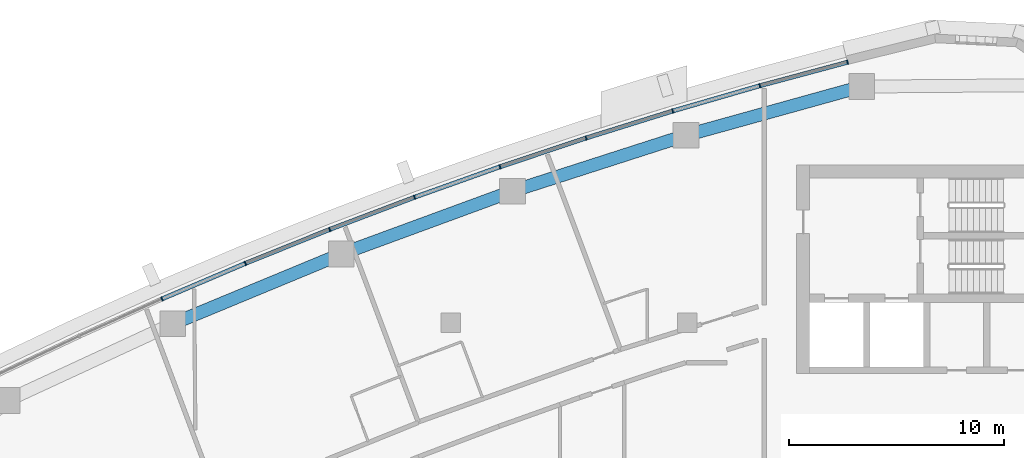
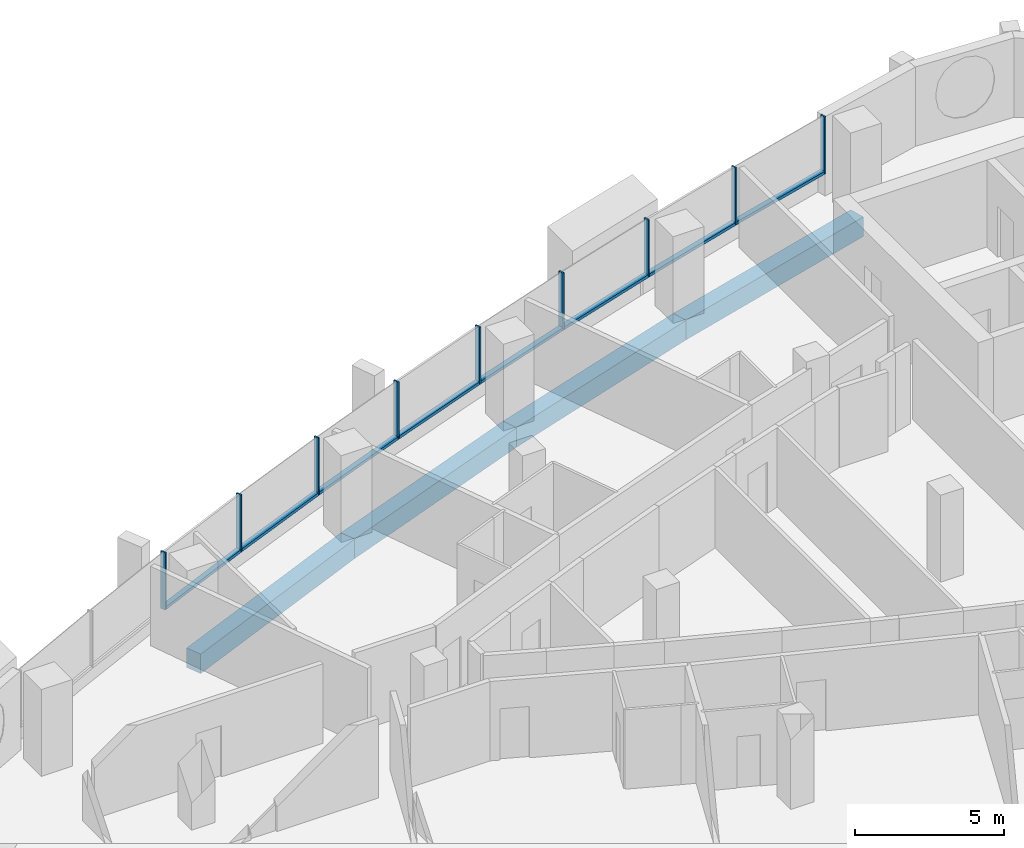
# One storey, part 6 of 16: 17 members, 4 beams, 4 elements without a shape of their own.
"""IFC4 building model written with IfcOpenShell, lengths in metres."""

from ifc_helpers import new_model, si_unit, direction, frame, origin, origin_2d, place, context, subcontext, project, spatial, rectangle, extrude, material, layer, layer_set, material_profile, profile_set, type_object, element, aggregate, save


model = new_model("IFC4")

# Units and contexts
model_context = context("Model", 3, precision=1e-05, world=origin(), true_north=direction((0.0, 1.0)))
body_context = subcontext(model_context, "Body", "Model", "MODEL_VIEW")
ifc_project = project(units=[si_unit("LENGTHUNIT", "METRE"), si_unit("AREAUNIT", "SQUARE_METRE"), si_unit("VOLUMEUNIT", "CUBIC_METRE"), si_unit("PLANEANGLEUNIT", "RADIAN"), si_unit("MASSUNIT", "GRAM", prefix="KILO")], contexts=[model_context])

# Site, building, storey
site_placement = place(None, origin())
site = spatial("IfcSite", under=ifc_project, at=site_placement, CompositionType="ELEMENT")
building_placement = place(site_placement, origin())
building = spatial("IfcBuilding", under=site, at=building_placement, Name="Ostrand Prow Hotel Tower", CompositionType="ELEMENT")
storey_placement = place(building_placement, frame((0.0, 0.0, 227.89990234375)))
storey = spatial("IfcBuildingStorey", under=building, at=storey_placement, Name="L57", CompositionType="ELEMENT", Elevation=227.89990234375)

# Beams
ifc_material_1 = material(Name="Concrete C50/60", Category="concrete")
ifc_material_profile_1 = material_profile(ifc_material_1, rectangle(XDim=0.60009765625, YDim=0.800048828125, at=origin_2d()), Name="RC 600x800")
ifc_profile_set_1 = profile_set([ifc_material_profile_1], Name="Concrete C50/60")
beam_type = type_object("IfcBeamType", Name="Edge beam 600x800 C50/60", PredefinedType="SPANDREL", material=ifc_profile_set_1)
for number, where, z_axis, x_axis, name in (
    (1, (53.12548828125, 19.99951171875, -0.699951171875), (-0.963625802813, -0.267255144297, 0.0), (0.267255144297, -0.963625802813, 0.0), "Edge beam N1-N2"),
    (2, (44.94677734375, 17.731201171875, -0.699951171875), (-0.95193933362, -0.306286638798, 0.0), (0.306286638798, -0.95193933362, 0.0), "Edge beam N2-N3"),
    (3, (36.8671875, 15.131591796875, -0.699951171875), (-0.938684959139, -0.344776083113, 0.0), (0.344776083113, -0.938684959139, 0.0), "Edge beam N3-N4"),
    (4, (28.900146484375, 12.205322265625, -0.699951171875), (-0.923890977326, -0.38265580097, 0.0), (0.38265580097, -0.923890977326, 0.0), "Edge beam N4-N5"),
):
    element("IfcBeam", number, at=place(storey_placement, frame(where, z_axis=z_axis, x_axis=x_axis)), inside=storey, type_object=beam_type, Name=name, PredefinedType="SPANDREL", context=body_context, shape_type="SweptSolid", body=[
        extrude(rectangle(XDim=0.60009765625, YDim=0.800048828125, at=origin_2d()), origin(), (0.0, 0.0, 1.0), 8.487548828125),
    ])

# Curtain wall, members
ifc_material_2 = material(Name="Insulated glass in bronze anodised frame", Category="glass")
ifc_layer = layer(ifc_material_2, 0.199951171875)
ifc_layer_set = layer_set([ifc_layer], Name="Insulated glass in bronze anodised frame")
curtain_wall_type = type_object("IfcCurtainWallType", Name="Strip curtain wall, fritted glass over bronze spandrel", PredefinedType="NOTDEFINED", material=ifc_layer_set)
curtain_wall_1_placement = place(storey_placement, origin())
curtain_wall_1 = element("IfcCurtainWall", 5, at=curtain_wall_1_placement, inside=storey, type_object=curtain_wall_type, Name="CW1 run CWN1", PredefinedType="NOTDEFINED")
ifc_material_3 = material(Name="Bronze anodised aluminium", Category="aluminium")
ifc_material_profile_2 = material_profile(ifc_material_3, rectangle(XDim=0.199951171875, YDim=0.06005859375, at=origin_2d()), Name="Mullion 60x200 bronze anodised aluminium")
ifc_profile_set_2 = profile_set([ifc_material_profile_2], Name="Bronze anodised aluminium")
member_type_1 = type_object("IfcMemberType", Name="Mullion 60x200 bronze anodised aluminium", PredefinedType="MULLION", material=ifc_profile_set_2)
member_1_placement = place(storey_placement, frame((52.465576171875, 21.1328125, 0.900146484375), z_axis=(0.0, 0.0, 1.0), x_axis=(0.258994370132, -0.965878831034, 0.0)))
member_1 = element("IfcMember", 6, at=member_1_placement, type_object=member_type_1, Name="CW1 mullion 1", PredefinedType="MULLION", context=body_context, shape_type="SweptSolid", body=[
    extrude(rectangle(XDim=0.199951171875, YDim=0.06005859375, at=origin_2d()), origin(), (0.0, 0.0, 1.0), 2.349853515625),
])
member_2_placement = place(storey_placement, frame((48.385986328125, 20.038818359375, 0.900146484375), z_axis=(0.0, 0.0, 1.0), x_axis=(0.27839270969, -0.960467333745, 0.0)))
member_2 = element("IfcMember", 7, at=member_2_placement, type_object=member_type_1, Name="CW1 mullion 2", PredefinedType="MULLION", context=body_context, shape_type="SweptSolid", body=[
    extrude(rectangle(XDim=0.199951171875, YDim=0.06005859375, at=origin_2d()), origin(), (0.0, 0.0, 1.0), 2.349853515625),
])
member_3_placement = place(storey_placement, frame((44.3291015625, 18.863037109375, 0.900146484375), z_axis=(0.0, 0.0, 1.0), x_axis=(0.27839270969, -0.960467333745, 0.0)))
member_3 = element("IfcMember", 8, at=member_3_placement, type_object=member_type_1, Name="CW1 mullion 3", PredefinedType="MULLION", context=body_context, shape_type="SweptSolid", body=[
    extrude(rectangle(XDim=0.199951171875, YDim=0.06005859375, at=origin_2d()), origin(), (0.0, 0.0, 1.0), 2.349853515625),
])

curtain_wall_2_placement = place(storey_placement, origin())
curtain_wall_2 = element("IfcCurtainWall", 9, at=curtain_wall_2_placement, inside=storey, type_object=curtain_wall_type, Name="CW1 run CWN2", PredefinedType="NOTDEFINED")
member_4_placement = place(storey_placement, frame((40.297119140625, 17.605712890625, 0.900146484375), z_axis=(0.0, 0.0, 1.0), x_axis=(0.31684118017, -0.948478606268, 0.0)))
member_4 = element("IfcMember", 10, at=member_4_placement, type_object=member_type_1, Name="CW1 mullion 2", PredefinedType="MULLION", context=body_context, shape_type="SweptSolid", body=[
    extrude(rectangle(XDim=0.199951171875, YDim=0.06005859375, at=origin_2d()), origin(), (0.0, 0.0, 1.0), 2.349853515625),
])
member_5_placement = place(storey_placement, frame((36.291015625, 16.267578125, 0.900146484375), z_axis=(0.0, 0.0, 1.0), x_axis=(0.31684118017, -0.948478606268, 0.0)))
member_5 = element("IfcMember", 11, at=member_5_placement, type_object=member_type_1, Name="CW1 mullion 3", PredefinedType="MULLION", context=body_context, shape_type="SweptSolid", body=[
    extrude(rectangle(XDim=0.199951171875, YDim=0.06005859375, at=origin_2d()), origin(), (0.0, 0.0, 1.0), 2.349853515625),
])

curtain_wall_3_placement = place(storey_placement, origin())
curtain_wall_3 = element("IfcCurtainWall", 12, at=curtain_wall_3_placement, inside=storey, type_object=curtain_wall_type, Name="CW1 run CWN3", PredefinedType="NOTDEFINED")
member_6_placement = place(storey_placement, frame((32.3125, 14.848876953125, 0.900146484375), z_axis=(0.0, 0.0, 1.0), x_axis=(0.354777361469, -0.934950813567, 0.0)))
member_6 = element("IfcMember", 13, at=member_6_placement, type_object=member_type_1, Name="CW1 mullion 2", PredefinedType="MULLION", context=body_context, shape_type="SweptSolid", body=[
    extrude(rectangle(XDim=0.199951171875, YDim=0.06005859375, at=origin_2d()), origin(), (0.0, 0.0, 1.0), 2.349853515625),
])
member_7_placement = place(storey_placement, frame((28.363525390625, 13.350341796875, 0.900146484375), z_axis=(0.0, 0.0, 1.0), x_axis=(0.354777361469, -0.934950813567, 0.0)))
member_7 = element("IfcMember", 14, at=member_7_placement, type_object=member_type_1, Name="CW1 mullion 3", PredefinedType="MULLION", context=body_context, shape_type="SweptSolid", body=[
    extrude(rectangle(XDim=0.199951171875, YDim=0.06005859375, at=origin_2d()), origin(), (0.0, 0.0, 1.0), 2.349853515625),
])

curtain_wall_4_placement = place(storey_placement, origin())
curtain_wall_4 = element("IfcCurtainWall", 15, at=curtain_wall_4_placement, inside=storey, type_object=curtain_wall_type, Name="CW1 run CWN4", PredefinedType="NOTDEFINED")
member_8_placement = place(storey_placement, frame((24.445556640625, 11.772705078125, 0.900146484375), z_axis=(0.0, 0.0, 1.0), x_axis=(0.392136433347, -0.919907070112, 0.0)))
member_8 = element("IfcMember", 16, at=member_8_placement, type_object=member_type_1, Name="CW1 mullion 2", PredefinedType="MULLION", context=body_context, shape_type="SweptSolid", body=[
    extrude(rectangle(XDim=0.199951171875, YDim=0.06005859375, at=origin_2d()), origin(), (0.0, 0.0, 1.0), 2.349853515625),
])
member_9_placement = place(storey_placement, frame((20.56005859375, 10.116455078125, 0.900146484375), z_axis=(0.0, 0.0, 1.0), x_axis=(0.392136433347, -0.919907070112, 0.0)))
member_9 = element("IfcMember", 17, at=member_9_placement, type_object=member_type_1, Name="CW1 mullion 3", PredefinedType="MULLION", context=body_context, shape_type="SweptSolid", body=[
    extrude(rectangle(XDim=0.199951171875, YDim=0.06005859375, at=origin_2d()), origin(), (0.0, 0.0, 1.0), 2.349853515625),
])

# Member
ifc_material_4 = material(Name="Bronze anodised aluminium", Category="aluminium")
ifc_material_profile_3 = material_profile(ifc_material_4, rectangle(XDim=0.199951171875, YDim=0.1201171875, at=origin_2d()), Name="Transom 120x200 bronze anodised aluminium")
ifc_profile_set_3 = profile_set([ifc_material_profile_3], Name="Bronze anodised aluminium")
member_type_2 = type_object("IfcMemberType", Name="Transom 120x200 bronze anodised aluminium", PredefinedType="USERDEFINED", material=ifc_profile_set_3)
member_10_placement = place(storey_placement, frame((52.4365234375, 21.125, 0.960205078125), z_axis=(-0.96587683346, -0.259001819657, 0.0), x_axis=(0.259001819657, -0.96587683346, 0.0)))
member_10 = element("IfcMember", 18, at=member_10_placement, type_object=member_type_2, Name="CW1 transom 1.1", ObjectType="TRANSOM", PredefinedType="USERDEFINED", context=body_context, shape_type="SweptSolid", body=[
    extrude(rectangle(XDim=0.199951171875, YDim=0.1201171875, at=origin_2d()), origin(), (0.0, 0.0, 1.0), 4.16357421875),
])

member_11_placement = place(storey_placement, frame((48.357177734375, 20.030517578125, 0.960205078125), z_axis=(-0.960468183791, -0.278389776976, 0.0), x_axis=(0.278389776976, -0.960468183791, 0.0)))
member_11 = element("IfcMember", 19, at=member_11_placement, type_object=member_type_2, Name="CW1 transom 2.1", ObjectType="TRANSOM", PredefinedType="USERDEFINED", context=body_context, shape_type="SweptSolid", body=[
    extrude(rectangle(XDim=0.199951171875, YDim=0.1201171875, at=origin_2d()), origin(), (0.0, 0.0, 1.0), 4.163818359375),
])

aggregate(curtain_wall_1, [member_1, member_2, member_3, member_10, member_11])

member_12_placement = place(storey_placement, frame((44.300537109375, 18.85400390625, 0.960205078125), z_axis=(-0.954676966691, -0.297643896746, 0.0), x_axis=(0.297643896746, -0.954676966691, 0.0)))
member_12 = element("IfcMember", 20, at=member_12_placement, type_object=member_type_2, Name="CW1 transom 1.1", ObjectType="TRANSOM", PredefinedType="USERDEFINED", context=body_context, shape_type="SweptSolid", body=[
    extrude(rectangle(XDim=0.199951171875, YDim=0.1201171875, at=origin_2d()), origin(), (0.0, 0.0, 1.0), 4.16357421875),
])

member_13_placement = place(storey_placement, frame((40.2685546875, 17.59619140625, 0.960205078125), z_axis=(-0.948489622939, -0.316808199353, 0.0), x_axis=(0.316808199353, -0.948489622939, 0.0)))
member_13 = element("IfcMember", 21, at=member_13_placement, type_object=member_type_2, Name="CW1 transom 2.1", ObjectType="TRANSOM", PredefinedType="USERDEFINED", context=body_context, shape_type="SweptSolid", body=[
    extrude(rectangle(XDim=0.199951171875, YDim=0.1201171875, at=origin_2d()), origin(), (0.0, 0.0, 1.0), 4.16357421875),
])

aggregate(curtain_wall_2, [member_4, member_5, member_12, member_13])

member_14_placement = place(storey_placement, frame((36.2626953125, 16.25732421875, 0.960205078125), z_axis=(-0.941911594104, -0.335860907061, 0.0), x_axis=(0.335860907061, -0.941911594104, 0.0)))
member_14 = element("IfcMember", 22, at=member_14_placement, type_object=member_type_2, Name="CW1 transom 1.1", ObjectType="TRANSOM", PredefinedType="USERDEFINED", context=body_context, shape_type="SweptSolid", body=[
    extrude(rectangle(XDim=0.199951171875, YDim=0.1201171875, at=origin_2d()), origin(), (0.0, 0.0, 1.0), 4.163818359375),
])

member_15_placement = place(storey_placement, frame((32.284423828125, 14.838134765625, 0.960205078125), z_axis=(-0.934960644813, -0.354751451936, 0.0), x_axis=(0.354751451936, -0.934960644813, 0.0)))
member_15 = element("IfcMember", 23, at=member_15_placement, type_object=member_type_2, Name="CW1 transom 2.1", ObjectType="TRANSOM", PredefinedType="USERDEFINED", context=body_context, shape_type="SweptSolid", body=[
    extrude(rectangle(XDim=0.199951171875, YDim=0.1201171875, at=origin_2d()), origin(), (0.0, 0.0, 1.0), 4.16357421875),
])

aggregate(curtain_wall_3, [member_6, member_7, member_14, member_15])

member_16_placement = place(storey_placement, frame((28.335693359375, 13.339111328125, 0.960205078125), z_axis=(-0.927625049372, -0.373512741119, 0.0), x_axis=(0.373512741119, -0.927625049372, 0.0)))
member_16 = element("IfcMember", 24, at=member_16_placement, type_object=member_type_2, Name="CW1 transom 1.1", ObjectType="TRANSOM", PredefinedType="USERDEFINED", context=body_context, shape_type="SweptSolid", body=[
    extrude(rectangle(XDim=0.199951171875, YDim=0.1201171875, at=origin_2d()), origin(), (0.0, 0.0, 1.0), 4.16357421875),
])

member_17_placement = place(storey_placement, frame((24.41796875, 11.760986328125, 0.960205078125), z_axis=(-0.919904541337, -0.392142365509, 0.0), x_axis=(0.392142365509, -0.919904541337, 0.0)))
member_17 = element("IfcMember", 25, at=member_17_placement, type_object=member_type_2, Name="CW1 transom 2.1", ObjectType="TRANSOM", PredefinedType="USERDEFINED", context=body_context, shape_type="SweptSolid", body=[
    extrude(rectangle(XDim=0.199951171875, YDim=0.1201171875, at=origin_2d()), origin(), (0.0, 0.0, 1.0), 4.163818359375),
])

aggregate(curtain_wall_4, [member_8, member_9, member_16, member_17])

save(model, "model.ifc")
